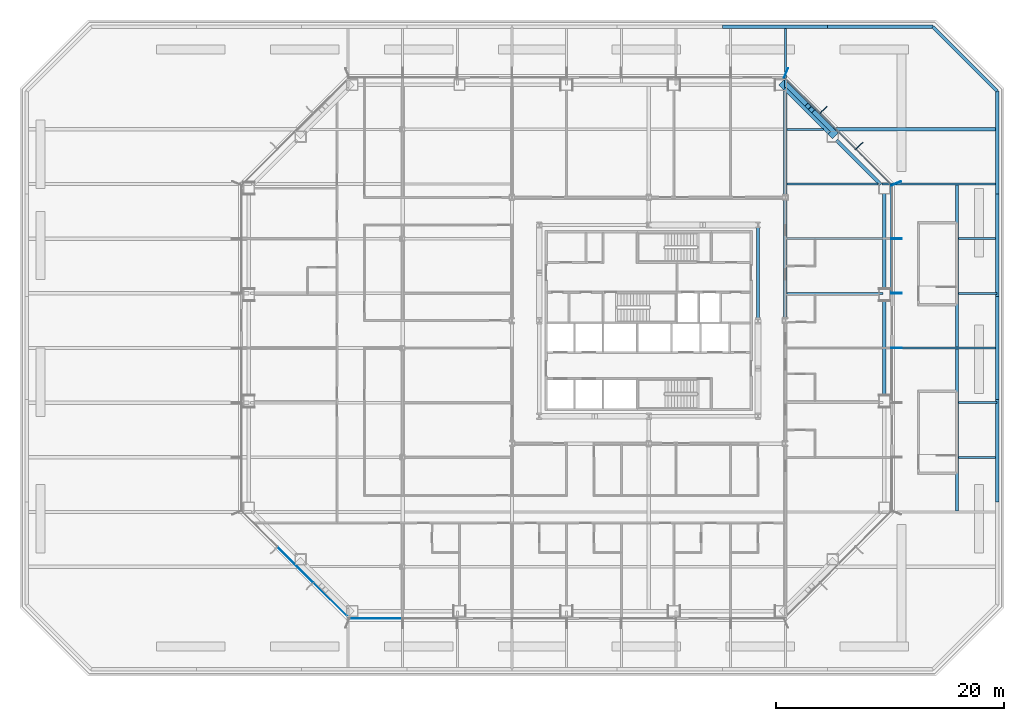
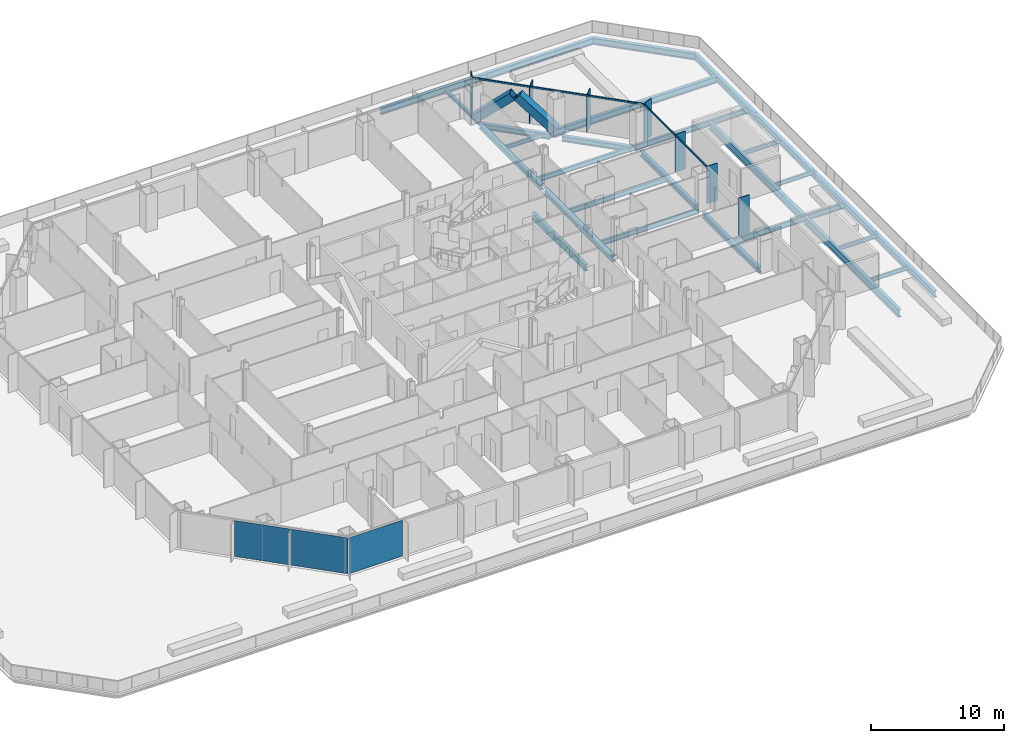
# One storey, part 6 of 18: 28 beams, 14 members, 3 plates, 5 elements without a shape of their own.
"""IFC4 building model written with IfcOpenShell, lengths in metres."""

from ifc_helpers import new_model, si_unit, direction, frame, origin, origin_2d, place, context, subcontext, project, spatial, rectangle, hollow_rectangle, i_section, extrude, material, layer, layer_set, material_profile, profile_set, type_object, element, aggregate, save


model = new_model("IFC4")

# Units and contexts
model_context = context("Model", 3, precision=1e-05, world=origin(), true_north=direction((0.0, 1.0)))
body_context = subcontext(model_context, "Body", "Model", "MODEL_VIEW")
ifc_project = project(units=[si_unit("LENGTHUNIT", "METRE"), si_unit("AREAUNIT", "SQUARE_METRE"), si_unit("VOLUMEUNIT", "CUBIC_METRE"), si_unit("PLANEANGLEUNIT", "RADIAN"), si_unit("MASSUNIT", "GRAM", prefix="KILO")], contexts=[model_context])

# Site, building, storey
site_placement = place(None, origin())
site = spatial("IfcSite", under=ifc_project, at=site_placement, CompositionType="ELEMENT")
building_placement = place(site_placement, origin())
building = spatial("IfcBuilding", under=site, at=building_placement, Name="Cairn Pilgrim Tower", CompositionType="ELEMENT")
storey_placement = place(building_placement, frame((0.0, 0.0, 40.199951171875)))
storey = spatial("IfcBuildingStorey", under=building, at=storey_placement, Name="L07", CompositionType="ELEMENT", Elevation=40.199951171875)

# Members
ifc_material_1 = material(Name="Structural steel S460M", Category="steel")
ifc_material_profile_1 = material_profile(ifc_material_1, hollow_rectangle(XDim=0.699951171875, YDim=0.699951171875, WallThickness=0.0400390625, at=origin_2d()), Name="BOX 700x700x40")
ifc_profile_set_1 = profile_set([ifc_material_profile_1], Name="Structural steel S460M")
member_type_1 = type_object("IfcMemberType", Name="BOX 700x700x40 BRACE", PredefinedType="BRACE", material=ifc_profile_set_1)
member_1_placement = place(storey_placement, frame((23.44482421875, 18.786376953125, 0.150146484375), z_axis=(-0.528090425698, 0.528090425698, 0.665012033404), x_axis=(-0.707106781187, -0.707106781187, 0.0)))
element("IfcMember", 1, at=member_1_placement, inside=storey, type_object=member_type_1, Name="XB-NE2-N1-1", PredefinedType="BRACE", context=body_context, shape_type="SweptSolid", body=[
    extrude(hollow_rectangle(XDim=0.699951171875, YDim=0.699951171875, WallThickness=0.0400390625, at=origin_2d()), origin(), (0.0, 0.0, 1.0), 3.899658203125),
])
member_2_placement = place(storey_placement, frame((19.0498046875, 23.181396484375, 0.150146484375), z_axis=(0.528118110354, -0.528118110354, 0.664968061663), x_axis=(0.707106781187, 0.707106781187, 0.0)))
element("IfcMember", 2, at=member_2_placement, inside=storey, type_object=member_type_1, Name="XB-NE2-N1-2", PredefinedType="BRACE", context=body_context, shape_type="SweptSolid", body=[
    extrude(hollow_rectangle(XDim=0.699951171875, YDim=0.699951171875, WallThickness=0.0400390625, at=origin_2d()), origin(), (0.0, 0.0, 1.0), 3.89990234375),
])

# Curtain wall, members
ifc_material_2 = material(Name="Aluminium alloy 6063-T6 bronze anodised with Bronze tinted laminated low-E glass 8+16+8.8", Category="aluminium")
curtain_wall_type_1 = type_object("IfcCurtainWallType", Name="TOWER STICK CURTAIN WALL EW", PredefinedType="NOTDEFINED", material=ifc_material_2)
curtain_wall_1_placement = place(storey_placement, origin())
curtain_wall_1 = element("IfcCurtainWall", 3, at=curtain_wall_1_placement, inside=storey, type_object=curtain_wall_type_1, Name="Tower Stick Curtain Wall Ew E", PredefinedType="NOTDEFINED")
ifc_material_3 = material(Name="Aluminium alloy 6063-T6 bronze anodised", Category="aluminium")
ifc_material_profile_2 = material_profile(ifc_material_3, rectangle(XDim=0.89990234375, YDim=0.06005859375, at=origin_2d()), Name="FIN MULLION 60x900 BRONZE")
ifc_profile_set_2 = profile_set([ifc_material_profile_2], Name="Aluminium alloy 6063-T6 bronze anodised")
member_type_2 = type_object("IfcMemberType", Name="FIN MULLION 60x900 BRONZE", PredefinedType="MULLION", material=ifc_profile_set_2)
member_3_placement = place(storey_placement, frame((28.969970703125, 0.0, 0.0), z_axis=(0.0, 0.0, 1.0), x_axis=(1.0, 0.0, 0.0)))
member_3 = element("IfcMember", 4, at=member_3_placement, type_object=member_type_2, Name="Fin mullion E4", PredefinedType="MULLION", context=body_context, shape_type="SweptSolid", body=[
    extrude(rectangle(XDim=0.89990234375, YDim=0.06005859375, at=origin_2d()), origin(), (0.0, 0.0, 1.0), 3.449951171875),
])
member_4_placement = place(storey_placement, frame((28.969970703125, 4.800048828125, 0.0), z_axis=(0.0, 0.0, 1.0), x_axis=(1.0, 0.0, 0.0)))
member_4 = element("IfcMember", 5, at=member_4_placement, type_object=member_type_2, Name="Fin mullion E5", PredefinedType="MULLION", context=body_context, shape_type="SweptSolid", body=[
    extrude(rectangle(XDim=0.89990234375, YDim=0.06005859375, at=origin_2d()), origin(), (0.0, 0.0, 1.0), 3.449951171875),
])
member_5_placement = place(storey_placement, frame((28.969970703125, 9.60009765625, 0.0), z_axis=(0.0, 0.0, 1.0), x_axis=(1.0, 0.0, 0.0)))
member_5 = element("IfcMember", 6, at=member_5_placement, type_object=member_type_2, Name="Fin mullion E6", PredefinedType="MULLION", context=body_context, shape_type="SweptSolid", body=[
    extrude(rectangle(XDim=0.89990234375, YDim=0.06005859375, at=origin_2d()), origin(), (0.0, 0.0, 1.0), 3.449951171875),
])

curtain_wall_type_2 = type_object("IfcCurtainWallType", Name="CHAMFER CORNER CURTAIN WALL", PredefinedType="NOTDEFINED", material=ifc_material_2)
curtain_wall_2_placement = place(storey_placement, origin())
curtain_wall_2 = element("IfcCurtainWall", 7, at=curtain_wall_2_placement, inside=storey, type_object=curtain_wall_type_2, Name="Chamfer Corner Curtain Wall NE", PredefinedType="NOTDEFINED")
member_6_placement = place(storey_placement, frame((28.93798828125, 14.457275390625, 0.0), z_axis=(0.0, 0.0, 1.0), x_axis=(0.923879532511, 0.382683432365, 0.0)))
member_6 = element("IfcMember", 8, at=member_6_placement, type_object=member_type_2, Name="Fin mullion NE1", PredefinedType="MULLION", context=body_context, shape_type="SweptSolid", body=[
    extrude(rectangle(XDim=0.89990234375, YDim=0.06005859375, at=origin_2d()), origin(), (0.0, 0.0, 1.0), 3.449951171875),
])
member_7_placement = place(storey_placement, frame((25.69580078125, 17.74462890625, 0.0), z_axis=(0.0, 0.0, 1.0), x_axis=(0.707106781187, 0.707106781187, 0.0)))
member_7 = element("IfcMember", 9, at=member_7_placement, type_object=member_type_2, Name="Fin mullion NE2", PredefinedType="MULLION", context=body_context, shape_type="SweptSolid", body=[
    extrude(rectangle(XDim=0.89990234375, YDim=0.06005859375, at=origin_2d()), origin(), (0.0, 0.0, 1.0), 3.449951171875),
])
member_8_placement = place(storey_placement, frame((22.544677734375, 20.895751953125, 0.0), z_axis=(0.0, 0.0, 1.0), x_axis=(0.707106781187, 0.707106781187, 0.0)))
member_8 = element("IfcMember", 10, at=member_8_placement, type_object=member_type_2, Name="Fin mullion NE3", PredefinedType="MULLION", context=body_context, shape_type="SweptSolid", body=[
    extrude(rectangle(XDim=0.89990234375, YDim=0.06005859375, at=origin_2d()), origin(), (0.0, 0.0, 1.0), 3.449951171875),
])

# Curtain wall, member
curtain_wall_type_3 = type_object("IfcCurtainWallType", Name="TOWER STICK CURTAIN WALL NS", PredefinedType="NOTDEFINED", material=ifc_material_2)
curtain_wall_3_placement = place(storey_placement, origin())
curtain_wall_3 = element("IfcCurtainWall", 11, at=curtain_wall_3_placement, inside=storey, type_object=curtain_wall_type_3, Name="Tower Stick Curtain Wall Ns N", PredefinedType="NOTDEFINED")
member_9_placement = place(storey_placement, frame((19.257080078125, 24.137939453125, 0.0), z_axis=(0.0, 0.0, 1.0), x_axis=(0.382683432365, 0.923879532511, 0.0)))
member_9 = element("IfcMember", 12, at=member_9_placement, type_object=member_type_2, Name="Fin mullion N1", PredefinedType="MULLION", context=body_context, shape_type="SweptSolid", body=[
    extrude(rectangle(XDim=0.89990234375, YDim=0.06005859375, at=origin_2d()), origin(), (0.0, 0.0, 1.0), 3.449951171875),
])
aggregate(curtain_wall_3, [member_9])

# Beams
ifc_material_4 = material(Name="Structural steel S355J2", Category="steel")
ifc_material_profile_3 = material_profile(ifc_material_4, i_section(OverallWidth=0.300048828125, OverallDepth=0.5, WebThickness=0.014404296875, FlangeThickness=0.028076171875, FilletRadius=0.027099609375, at=origin_2d()), Name="HEB 500")
ifc_profile_set_3 = profile_set([ifc_material_profile_3], Name="Structural steel S355J2")
beam_type_1 = type_object("IfcBeamType", Name="HEB 500 GIRDER", PredefinedType="BEAM", material=ifc_profile_set_3)
beam_1_placement = place(storey_placement, frame((19.199951171875, 13.412109375, -0.39990234375), z_axis=(0.0, 1.0, 0.0), x_axis=(-1.0, 0.0, 0.0)))
element("IfcBeam", 13, at=beam_1_placement, inside=storey, type_object=beam_type_1, Name="PG4-4", PredefinedType="BEAM", context=body_context, shape_type="SweptSolid", body=[
    extrude(i_section(OverallWidth=0.300048828125, OverallDepth=0.5, WebThickness=0.014404296875, FlangeThickness=0.028076171875, FilletRadius=0.027099609375, at=origin_2d()), origin(), (0.0, 0.0, 1.0), 9.133056640625),
])
ifc_material_profile_4 = material_profile(ifc_material_4, i_section(OverallWidth=0.300048828125, OverallDepth=0.5, WebThickness=0.014404296875, FlangeThickness=0.028076171875, FilletRadius=0.027099609375, at=origin_2d()), Name="HEB 500")
ifc_profile_set_4 = profile_set([ifc_material_profile_4], Name="Structural steel S355J2")
beam_type_2 = type_object("IfcBeamType", Name="HEB 500 RING GIRDER", PredefinedType="SPANDREL", material=ifc_profile_set_4)
beam_2_placement = place(storey_placement, frame((27.89990234375, -4.2255859375, -0.39990234375), z_axis=(0.0, 1.0, 0.0), x_axis=(-1.0, 0.0, 0.0)))
element("IfcBeam", 14, at=beam_2_placement, inside=storey, type_object=beam_type_2, Name="RG1-E2-E3", PredefinedType="SPANDREL", context=body_context, shape_type="SweptSolid", body=[
    extrude(i_section(OverallWidth=0.300048828125, OverallDepth=0.5, WebThickness=0.014404296875, FlangeThickness=0.028076171875, FilletRadius=0.027099609375, at=origin_2d()), origin(), (0.0, 0.0, 1.0), 8.451171875),
])
beam_3_placement = place(storey_placement, frame((27.89990234375, 5.125732421875, -0.39990234375), z_axis=(0.0, 1.0, 0.0), x_axis=(-1.0, 0.0, 0.0)))
element("IfcBeam", 15, at=beam_3_placement, inside=storey, type_object=beam_type_2, Name="RG1-E3-NE1", PredefinedType="SPANDREL", context=body_context, shape_type="SweptSolid", body=[
    extrude(i_section(OverallWidth=0.300048828125, OverallDepth=0.5, WebThickness=0.014404296875, FlangeThickness=0.028076171875, FilletRadius=0.027099609375, at=origin_2d()), origin(), (0.0, 0.0, 1.0), 8.451416015625),
])
for number, where, z_axis, x_axis, name in (
    (16, (27.581787109375, 14.345458984375, -0.39990234375), (-0.707106781187, 0.707106781187, 0.0), (-0.707106781187, -0.707106781187, 0.0), "RG1-NE1-NE2"),
    (17, (23.04541015625, 18.8818359375, -0.39990234375), (-0.707106781187, 0.707106781187, 0.0), (-0.707106781187, -0.707106781187, 0.0), "RG1-NE2-N1"),
):
    element("IfcBeam", number, at=place(storey_placement, frame(where, z_axis=z_axis, x_axis=x_axis)), inside=storey, type_object=beam_type_2, Name=name, PredefinedType="SPANDREL", context=body_context, shape_type="SweptSolid", body=[
        extrude(i_section(OverallWidth=0.300048828125, OverallDepth=0.5, WebThickness=0.014404296875, FlangeThickness=0.028076171875, FilletRadius=0.027099609375, at=origin_2d()), origin(), (0.0, 0.0, 1.0), 5.515380859375),
    ])
ifc_material_profile_5 = material_profile(ifc_material_4, i_section(OverallWidth=0.300048828125, OverallDepth=0.60009765625, WebThickness=0.015380859375, FlangeThickness=0.030029296875, FilletRadius=0.027099609375, at=origin_2d()), Name="HEB 600")
ifc_profile_set_5 = profile_set([ifc_material_profile_5], Name="Structural steel S355J2")
beam_type_3 = type_object("IfcBeamType", Name="HEB 600 CORE BEAM", PredefinedType="BEAM", material=ifc_profile_set_5)
beam_4_placement = place(storey_placement, frame((16.800048828125, 2.604248046875, -0.449951171875), z_axis=(0.0, 1.0, 0.0), x_axis=(-1.0, 0.0, 0.0)))
element("IfcBeam", 18, at=beam_4_placement, inside=storey, type_object=beam_type_3, Name="CB-4", PredefinedType="BEAM", context=body_context, shape_type="SweptSolid", body=[
    extrude(i_section(OverallWidth=0.300048828125, OverallDepth=0.60009765625, WebThickness=0.015380859375, FlangeThickness=0.030029296875, FilletRadius=0.027099609375, at=origin_2d()), origin(), (0.0, 0.0, 1.0), 7.991455078125),
])
ifc_material_profile_6 = material_profile(ifc_material_4, i_section(OverallWidth=0.300048828125, OverallDepth=0.60009765625, WebThickness=0.015380859375, FlangeThickness=0.030029296875, FilletRadius=0.027099609375, at=origin_2d()), Name="HEB 600")
ifc_profile_set_6 = profile_set([ifc_material_profile_6], Name="Structural steel S355J2")
beam_type_4 = type_object("IfcBeamType", Name="HEB 600 GIRDER", PredefinedType="BEAM", material=ifc_profile_set_6)
beam_5_placement = place(storey_placement, frame((19.199951171875, 2.612060546875, -0.449951171875), z_axis=(0.0, 1.0, 0.0), x_axis=(-1.0, 0.0, 0.0)))
element("IfcBeam", 19, at=beam_5_placement, inside=storey, type_object=beam_type_4, Name="PG4-3", PredefinedType="BEAM", context=body_context, shape_type="SweptSolid", body=[
    extrude(i_section(OverallWidth=0.300048828125, OverallDepth=0.60009765625, WebThickness=0.015380859375, FlangeThickness=0.030029296875, FilletRadius=0.027099609375, at=origin_2d()), origin(), (0.0, 0.0, 1.0), 10.3759765625),
])
ifc_material_profile_7 = material_profile(ifc_material_4, i_section(OverallWidth=0.169921875, OverallDepth=0.360107421875, WebThickness=0.008056640625, FlangeThickness=0.0126953125, FilletRadius=0.01806640625, at=origin_2d()), Name="IPE 360")
ifc_profile_set_7 = profile_set([ifc_material_profile_7], Name="Structural steel S355J2")
beam_type_5 = type_object("IfcBeamType", Name="IPE 360 SECONDARY BEAM", PredefinedType="JOIST", material=ifc_profile_set_7)
beam_6_placement = place(storey_placement, frame((19.35009765625, 19.199951171875, -0.329833984375), z_axis=(1.0, 0.0, 0.0), x_axis=(0.0, 1.0, 0.0)))
element("IfcBeam", 20, at=beam_6_placement, inside=storey, type_object=beam_type_5, Name="SB9-5", PredefinedType="JOIST", context=body_context, shape_type="SweptSolid", body=[
    extrude(i_section(OverallWidth=0.169921875, OverallDepth=0.360107421875, WebThickness=0.008056640625, FlangeThickness=0.0126953125, FilletRadius=0.01806640625, at=origin_2d()), origin(), (0.0, 0.0, 1.0), 3.195068359375),
])
ifc_material_profile_8 = material_profile(ifc_material_4, i_section(OverallWidth=0.18994140625, OverallDepth=0.449951171875, WebThickness=0.009521484375, FlangeThickness=0.0146484375, FilletRadius=0.02099609375, at=origin_2d()), Name="IPE 450")
ifc_profile_set_8 = profile_set([ifc_material_profile_8], Name="Structural steel S355J2")
beam_type_6 = type_object("IfcBeamType", Name="IPE 450 SECONDARY BEAM", PredefinedType="JOIST", material=ifc_profile_set_8)
for number, where, z_axis, x_axis, name in (
    (21, (19.35009765625, 4.800048828125, -0.375), (1.0, 0.0, 0.0), (0.0, 1.0, 0.0), "SB6-3"),
    (22, (19.35009765625, 9.60009765625, -0.375), (1.0, 0.0, 0.0), (0.0, 1.0, 0.0), "SB7-3"),
):
    element("IfcBeam", number, at=place(storey_placement, frame(where, z_axis=z_axis, x_axis=x_axis)), inside=storey, type_object=beam_type_6, Name=name, PredefinedType="JOIST", context=body_context, shape_type="SweptSolid", body=[
        extrude(i_section(OverallWidth=0.18994140625, OverallDepth=0.449951171875, WebThickness=0.009521484375, FlangeThickness=0.0146484375, FilletRadius=0.02099609375, at=origin_2d()), origin(), (0.0, 0.0, 1.0), 8.429931640625),
    ])
beam_7_placement = place(storey_placement, frame((19.35009765625, 14.39990234375, -0.375), z_axis=(1.0, 0.0, 0.0), x_axis=(0.0, 1.0, 0.0)))
element("IfcBeam", 23, at=beam_7_placement, inside=storey, type_object=beam_type_6, Name="SB8-3", PredefinedType="JOIST", context=body_context, shape_type="SweptSolid", body=[
    extrude(i_section(OverallWidth=0.18994140625, OverallDepth=0.449951171875, WebThickness=0.009521484375, FlangeThickness=0.0146484375, FilletRadius=0.02099609375, at=origin_2d()), origin(), (0.0, 0.0, 1.0), 7.9951171875),
])
ifc_material_profile_9 = material_profile(ifc_material_4, i_section(OverallWidth=0.300048828125, OverallDepth=0.60009765625, WebThickness=0.015380859375, FlangeThickness=0.030029296875, FilletRadius=0.027099609375, at=origin_2d()), Name="HEB 600")
ifc_profile_set_9 = profile_set([ifc_material_profile_9], Name="Structural steel S355J2")
beam_type_7 = type_object("IfcBeamType", Name="PODIUM BEAM HE 600 B", PredefinedType="BEAM", material=ifc_profile_set_9)
beam_8_placement = place(storey_placement, frame((22.879150390625, 19.199951171875, -0.449951171875), z_axis=(1.0, 0.0, 0.0), x_axis=(0.0, 1.0, 0.0)))
element("IfcBeam", 24, at=beam_8_placement, inside=storey, type_object=beam_type_7, Name="PODIUM BEAM PB-HE600B", PredefinedType="BEAM", context=body_context, shape_type="SweptSolid", body=[
    extrude(i_section(OverallWidth=0.300048828125, OverallDepth=0.60009765625, WebThickness=0.015380859375, FlangeThickness=0.030029296875, FilletRadius=0.027099609375, at=origin_2d()), origin(), (0.0, 0.0, 1.0), 14.768798828125),
])
ifc_material_profile_10 = material_profile(ifc_material_4, i_section(OverallWidth=0.169921875, OverallDepth=0.360107421875, WebThickness=0.008056640625, FlangeThickness=0.0126953125, FilletRadius=0.01806640625, at=origin_2d()), Name="IPE 360")
ifc_profile_set_10 = profile_set([ifc_material_profile_10], Name="Structural steel S355J2")
beam_type_8 = type_object("IfcBeamType", Name="PODIUM BEAM IPE 360", PredefinedType="BEAM", material=ifc_profile_set_10)
beam_9_placement = place(storey_placement, frame((34.422119140625, -9.60009765625, -0.329833984375), z_axis=(1.0, 0.0, 0.0), x_axis=(0.0, 1.0, 0.0)))
element("IfcBeam", 25, at=beam_9_placement, inside=storey, type_object=beam_type_8, Name="PODIUM BEAM PB-IPE360", PredefinedType="BEAM", context=body_context, shape_type="SweptSolid", body=[
    extrude(i_section(OverallWidth=0.169921875, OverallDepth=0.360107421875, WebThickness=0.008056640625, FlangeThickness=0.0126953125, FilletRadius=0.01806640625, at=origin_2d()), origin(), (0.0, 0.0, 1.0), 3.225830078125),
])
for number, where, z_axis, x_axis, name in (
    (26, (34.422119140625, -4.800048828125, -0.329833984375), (1.0, 0.0, 0.0), (0.0, 1.0, 0.0), "PODIUM BEAM PB-IPE360"),
    (27, (34.422119140625, 4.800048828125, -0.329833984375), (1.0, 0.0, 0.0), (0.0, 1.0, 0.0), "PODIUM BEAM PB-IPE360"),
):
    element("IfcBeam", number, at=place(storey_placement, frame(where, z_axis=z_axis, x_axis=x_axis)), inside=storey, type_object=beam_type_8, Name=name, PredefinedType="BEAM", context=body_context, shape_type="SweptSolid", body=[
        extrude(i_section(OverallWidth=0.169921875, OverallDepth=0.360107421875, WebThickness=0.008056640625, FlangeThickness=0.0126953125, FilletRadius=0.01806640625, at=origin_2d()), origin(), (0.0, 0.0, 1.0), 3.3779296875),
    ])
beam_10_placement = place(storey_placement, frame((34.422119140625, 9.60009765625, -0.329833984375), z_axis=(1.0, 0.0, 0.0), x_axis=(0.0, 1.0, 0.0)))
element("IfcBeam", 28, at=beam_10_placement, inside=storey, type_object=beam_type_8, Name="PODIUM BEAM PB-IPE360", PredefinedType="BEAM", context=body_context, shape_type="SweptSolid", body=[
    extrude(i_section(OverallWidth=0.169921875, OverallDepth=0.360107421875, WebThickness=0.008056640625, FlangeThickness=0.0126953125, FilletRadius=0.01806640625, at=origin_2d()), origin(), (0.0, 0.0, 1.0), 3.225830078125),
])
beam_11_placement = place(storey_placement, frame((19.199951171875, 22.879150390625, -0.329833984375), z_axis=(0.0, 1.0, 0.0), x_axis=(-1.0, 0.0, 0.0)))
element("IfcBeam", 29, at=beam_11_placement, inside=storey, type_object=beam_type_8, Name="PODIUM BEAM PB-IPE360", PredefinedType="BEAM", context=body_context, shape_type="SweptSolid", body=[
    extrude(i_section(OverallWidth=0.169921875, OverallDepth=0.360107421875, WebThickness=0.008056640625, FlangeThickness=0.0126953125, FilletRadius=0.01806640625, at=origin_2d()), origin(), (0.0, 0.0, 1.0), 5.1689453125),
])
ifc_material_profile_11 = material_profile(ifc_material_4, i_section(OverallWidth=0.199951171875, OverallDepth=0.5, WebThickness=0.01025390625, FlangeThickness=0.01611328125, FilletRadius=0.02099609375, at=origin_2d()), Name="IPE 500")
ifc_profile_set_11 = profile_set([ifc_material_profile_11], Name="Structural steel S355J2")
beam_type_9 = type_object("IfcBeamType", Name="PODIUM BEAM IPE 500", PredefinedType="BEAM", material=ifc_profile_set_11)
beam_12_placement = place(storey_placement, frame((28.052001953125, 0.0, -0.39990234375), z_axis=(1.0, 0.0, 0.0), x_axis=(0.0, 1.0, 0.0)))
element("IfcBeam", 30, at=beam_12_placement, inside=storey, type_object=beam_type_9, Name="PODIUM BEAM PB-IPE500", PredefinedType="BEAM", context=body_context, shape_type="SweptSolid", body=[
    extrude(i_section(OverallWidth=0.199951171875, OverallDepth=0.5, WebThickness=0.01025390625, FlangeThickness=0.01611328125, FilletRadius=0.02099609375, at=origin_2d()), origin(), (0.0, 0.0, 1.0), 9.595947265625),
])
beam_13_placement = place(storey_placement, frame((27.67919921875, 14.39990234375, -0.39990234375), z_axis=(1.0, 0.0, 0.0), x_axis=(0.0, 1.0, 0.0)))
element("IfcBeam", 31, at=beam_13_placement, inside=storey, type_object=beam_type_9, Name="PODIUM BEAM PB-IPE500", PredefinedType="BEAM", context=body_context, shape_type="SweptSolid", body=[
    extrude(i_section(OverallWidth=0.199951171875, OverallDepth=0.5, WebThickness=0.01025390625, FlangeThickness=0.01611328125, FilletRadius=0.02099609375, at=origin_2d()), origin(), (0.0, 0.0, 1.0), 9.96875),
])
ifc_material_profile_12 = material_profile(ifc_material_4, i_section(OverallWidth=0.300048828125, OverallDepth=0.60009765625, WebThickness=0.015380859375, FlangeThickness=0.030029296875, FilletRadius=0.027099609375, at=origin_2d()), Name="HEB 600")
ifc_profile_set_12 = profile_set([ifc_material_profile_12], Name="Structural steel S355J2")
beam_type_10 = type_object("IfcBeamType", Name="PODIUM EDGE GIRDER HE 600 B", PredefinedType="BEAM", material=ifc_profile_set_12)
beam_14_placement = place(storey_placement, frame((37.800048828125, -13.531005859375, -0.449951171875), z_axis=(0.0, 1.0, 0.0), x_axis=(-1.0, 0.0, 0.0)))
element("IfcBeam", 32, at=beam_14_placement, inside=storey, type_object=beam_type_10, Name="PODIUM EDGE GIRDER PE-HE600B", PredefinedType="BEAM", context=body_context, shape_type="SweptSolid", body=[
    extrude(i_section(OverallWidth=0.300048828125, OverallDepth=0.60009765625, WebThickness=0.015380859375, FlangeThickness=0.030029296875, FilletRadius=0.027099609375, at=origin_2d()), origin(), (0.0, 0.0, 1.0), 9.020751953125),
])
beam_15_placement = place(storey_placement, frame((37.800048828125, -4.51025390625, -0.449951171875), z_axis=(0.0, 1.0, 0.0), x_axis=(-1.0, 0.0, 0.0)))
element("IfcBeam", 33, at=beam_15_placement, inside=storey, type_object=beam_type_10, Name="PODIUM EDGE GIRDER PE-HE600B", PredefinedType="BEAM", context=body_context, shape_type="SweptSolid", body=[
    extrude(i_section(OverallWidth=0.300048828125, OverallDepth=0.60009765625, WebThickness=0.015380859375, FlangeThickness=0.030029296875, FilletRadius=0.027099609375, at=origin_2d()), origin(), (0.0, 0.0, 1.0), 9.0205078125),
])
beam_16_placement = place(storey_placement, frame((37.800048828125, 4.51025390625, -0.449951171875), z_axis=(0.0, 1.0, 0.0), x_axis=(-1.0, 0.0, 0.0)))
element("IfcBeam", 34, at=beam_16_placement, inside=storey, type_object=beam_type_10, Name="PODIUM EDGE GIRDER PE-HE600B", PredefinedType="BEAM", context=body_context, shape_type="SweptSolid", body=[
    extrude(i_section(OverallWidth=0.300048828125, OverallDepth=0.60009765625, WebThickness=0.015380859375, FlangeThickness=0.030029296875, FilletRadius=0.027099609375, at=origin_2d()), origin(), (0.0, 0.0, 1.0), 9.020751953125),
])
beam_17_placement = place(storey_placement, frame((37.800048828125, 13.531005859375, -0.449951171875), z_axis=(0.0, 1.0, 0.0), x_axis=(-1.0, 0.0, 0.0)))
element("IfcBeam", 35, at=beam_17_placement, inside=storey, type_object=beam_type_10, Name="PODIUM EDGE GIRDER PE-HE600B", PredefinedType="BEAM", context=body_context, shape_type="SweptSolid", body=[
    extrude(i_section(OverallWidth=0.300048828125, OverallDepth=0.60009765625, WebThickness=0.015380859375, FlangeThickness=0.030029296875, FilletRadius=0.027099609375, at=origin_2d()), origin(), (0.0, 0.0, 1.0), 9.0205078125),
])
beam_18_placement = place(storey_placement, frame((37.800048828125, 22.551513671875, -0.449951171875), z_axis=(-0.707106781187, 0.707106781187, 0.0), x_axis=(-0.707106781187, -0.707106781187, 0.0)))
element("IfcBeam", 36, at=beam_18_placement, inside=storey, type_object=beam_type_10, Name="PODIUM EDGE GIRDER PE-HE600B", PredefinedType="BEAM", context=body_context, shape_type="SweptSolid", body=[
    extrude(i_section(OverallWidth=0.300048828125, OverallDepth=0.60009765625, WebThickness=0.015380859375, FlangeThickness=0.030029296875, FilletRadius=0.027099609375, at=origin_2d()), origin(), (0.0, 0.0, 1.0), 7.988037109375),
])
beam_19_placement = place(storey_placement, frame((32.151611328125, 28.199951171875, -0.449951171875), z_axis=(-1.0, 0.0, 0.0), x_axis=(0.0, -1.0, 0.0)))
element("IfcBeam", 37, at=beam_19_placement, inside=storey, type_object=beam_type_10, Name="PODIUM EDGE GIRDER PE-HE600B", PredefinedType="BEAM", context=body_context, shape_type="SweptSolid", body=[
    extrude(i_section(OverallWidth=0.300048828125, OverallDepth=0.60009765625, WebThickness=0.015380859375, FlangeThickness=0.030029296875, FilletRadius=0.027099609375, at=origin_2d()), origin(), (0.0, 0.0, 1.0), 9.238037109375),
])
beam_20_placement = place(storey_placement, frame((22.91357421875, 28.199951171875, -0.449951171875), z_axis=(-1.0, 0.0, 0.0), x_axis=(0.0, -1.0, 0.0)))
element("IfcBeam", 38, at=beam_20_placement, inside=storey, type_object=beam_type_10, Name="PODIUM EDGE GIRDER PE-HE600B", PredefinedType="BEAM", context=body_context, shape_type="SweptSolid", body=[
    extrude(i_section(OverallWidth=0.300048828125, OverallDepth=0.60009765625, WebThickness=0.015380859375, FlangeThickness=0.030029296875, FilletRadius=0.027099609375, at=origin_2d()), origin(), (0.0, 0.0, 1.0), 9.23779296875),
])
ifc_material_profile_13 = material_profile(ifc_material_4, i_section(OverallWidth=0.300048828125, OverallDepth=0.699951171875, WebThickness=0.01708984375, FlangeThickness=0.031982421875, FilletRadius=0.027099609375, at=origin_2d()), Name="HEB 700")
ifc_profile_set_13 = profile_set([ifc_material_profile_13], Name="Structural steel S355J2")
beam_type_11 = type_object("IfcBeamType", Name="PODIUM GIRDER HE 700 B", PredefinedType="BEAM", material=ifc_profile_set_13)
for number, where, z_axis, x_axis, name in (
    (39, (34.27001953125, -14.298095703125, -0.5), (0.0, 1.0, 0.0), (-1.0, 0.0, 0.0), "PODIUM GIRDER PG-HE700B"),
    (40, (34.27001953125, 0.10205078125, -0.5), (0.0, 1.0, 0.0), (-1.0, 0.0, 0.0), "PODIUM GIRDER PG-HE700B"),
):
    element("IfcBeam", number, at=place(storey_placement, frame(where, z_axis=z_axis, x_axis=x_axis)), inside=storey, type_object=beam_type_11, Name=name, PredefinedType="BEAM", context=body_context, shape_type="SweptSolid", body=[
        extrude(i_section(OverallWidth=0.300048828125, OverallDepth=0.699951171875, WebThickness=0.01708984375, FlangeThickness=0.031982421875, FilletRadius=0.027099609375, at=origin_2d()), origin(), (0.0, 0.0, 1.0), 14.196044921875),
    ])

# Member
ifc_material_profile_14 = material_profile(ifc_material_3, rectangle(XDim=0.080078125, YDim=0.14990234375, at=origin_2d()), Name="TRANSOM 80x150 BRONZE")
ifc_profile_set_14 = profile_set([ifc_material_profile_14], Name="Aluminium alloy 6063-T6 bronze anodised")
member_type_3 = type_object("IfcMemberType", Name="TRANSOM 80x150 BRONZE", PredefinedType="USERDEFINED", material=ifc_profile_set_14)
member_10_placement = place(storey_placement, frame((28.550048828125, 4.830078125, 3.375), z_axis=(0.0, 1.0, 0.0), x_axis=(-1.0, 0.0, 0.0)))
member_10 = element("IfcMember", 41, at=member_10_placement, type_object=member_type_3, Name="Transom E5", ObjectType="TRANSOM", PredefinedType="USERDEFINED", context=body_context, shape_type="SweptSolid", body=[
    extrude(rectangle(XDim=0.080078125, YDim=0.14990234375, at=origin_2d()), origin(), (0.0, 0.0, 1.0), 4.739990234375),
])

member_11_placement = place(storey_placement, frame((28.550048828125, 9.6298828125, 3.375), z_axis=(0.0, 1.0, 0.0), x_axis=(-1.0, 0.0, 0.0)))
member_11 = element("IfcMember", 42, at=member_11_placement, type_object=member_type_3, Name="Transom E6", ObjectType="TRANSOM", PredefinedType="USERDEFINED", context=body_context, shape_type="SweptSolid", body=[
    extrude(rectangle(XDim=0.080078125, YDim=0.14990234375, at=origin_2d()), origin(), (0.0, 0.0, 1.0), 4.62646484375),
])

aggregate(curtain_wall_1, [member_3, member_4, member_5, member_10, member_11])

member_12_placement = place(storey_placement, frame((28.521728515625, 14.32470703125, 3.375), z_axis=(-0.707106781187, 0.707106781187, 0.0), x_axis=(-0.707106781187, -0.707106781187, 0.0)))
member_12 = element("IfcMember", 43, at=member_12_placement, type_object=member_type_3, Name="Transom NE1", ObjectType="TRANSOM", PredefinedType="USERDEFINED", context=body_context, shape_type="SweptSolid", body=[
    extrude(rectangle(XDim=0.080078125, YDim=0.14990234375, at=origin_2d()), origin(), (0.0, 0.0, 1.0), 4.38671875),
])

member_13_placement = place(storey_placement, frame((25.377685546875, 17.46875, 3.375), z_axis=(-0.707106781187, 0.707106781187, 0.0), x_axis=(-0.707106781187, -0.707106781187, 0.0)))
member_13 = element("IfcMember", 44, at=member_13_placement, type_object=member_type_3, Name="Transom NE2", ObjectType="TRANSOM", PredefinedType="USERDEFINED", context=body_context, shape_type="SweptSolid", body=[
    extrude(rectangle(XDim=0.080078125, YDim=0.14990234375, at=origin_2d()), origin(), (0.0, 0.0, 1.0), 4.396728515625),
])

member_14_placement = place(storey_placement, frame((22.226318359375, 20.6201171875, 3.375), z_axis=(-0.707106781187, 0.707106781187, 0.0), x_axis=(-0.707106781187, -0.707106781187, 0.0)))
member_14 = element("IfcMember", 45, at=member_14_placement, type_object=member_type_3, Name="Transom NE3", ObjectType="TRANSOM", PredefinedType="USERDEFINED", context=body_context, shape_type="SweptSolid", body=[
    extrude(rectangle(XDim=0.080078125, YDim=0.14990234375, at=origin_2d()), origin(), (0.0, 0.0, 1.0), 4.38623046875),
])

aggregate(curtain_wall_2, [member_6, member_7, member_8, member_12, member_13, member_14])

# Curtain wall, plates
curtain_wall_4_placement = place(storey_placement, origin())
curtain_wall_4 = element("IfcCurtainWall", 46, at=curtain_wall_4_placement, inside=storey, type_object=curtain_wall_type_2, Name="Chamfer Corner Curtain Wall SW", PredefinedType="NOTDEFINED")
ifc_material_5 = material(Name="Bronze anodised aluminium spandrel panel with mineral wool insulation", Category="aluminium")
ifc_layer_1 = layer(ifc_material_5, 0.06005859375)
ifc_layer_set_1 = layer_set([ifc_layer_1], Name="SPANDREL PANEL 4386x3300")
plate_type_1 = type_object("IfcPlateType", Name="SPANDREL PANEL 4386x3300", PredefinedType="CURTAIN_PANEL", material=ifc_layer_set_1)
plate_1_placement = place(storey_placement, frame((-20.675537109375, -22.1708984375, 0.0), z_axis=(0.0, 0.0, 1.0), x_axis=(0.707106781187, -0.707106781187, 0.0)))
plate_1 = element("IfcPlate", 47, at=plate_1_placement, type_object=plate_type_1, Name="Spandrel Panel SW3-1", PredefinedType="CURTAIN_PANEL", context=body_context, shape_type="SweptSolid", body=[
    extrude(rectangle(XDim=4.386474609375, YDim=0.06005859375, at=origin_2d()), origin(), (0.0, 0.0, 1.0), 3.300048828125),
])
ifc_layer_2 = layer(ifc_material_5, 0.06005859375)
ifc_layer_set_2 = layer_set([ifc_layer_2], Name="SPANDREL PANEL 4396x3300")
plate_type_2 = type_object("IfcPlateType", Name="SPANDREL PANEL 4396x3300", PredefinedType="CURTAIN_PANEL", material=ifc_layer_set_2)
plate_2_placement = place(storey_placement, frame((-23.8232421875, -19.023193359375, 0.0), z_axis=(0.0, 0.0, 1.0), x_axis=(0.707106781187, -0.707106781187, 0.0)))
plate_2 = element("IfcPlate", 48, at=plate_2_placement, type_object=plate_type_2, Name="Spandrel Panel SW2-1", PredefinedType="CURTAIN_PANEL", context=body_context, shape_type="SweptSolid", body=[
    extrude(rectangle(XDim=4.396484375, YDim=0.06005859375, at=origin_2d()), origin(), (0.0, 0.0, 1.0), 3.300048828125),
])
aggregate(curtain_wall_4, [plate_2, plate_1])

# Curtain wall, plate
curtain_wall_5_placement = place(storey_placement, origin())
curtain_wall_5 = element("IfcCurtainWall", 49, at=curtain_wall_5_placement, inside=storey, type_object=curtain_wall_type_3, Name="Tower Stick Curtain Wall Ns S", PredefinedType="NOTDEFINED")
ifc_layer_3 = layer(ifc_material_5, 0.06005859375)
ifc_layer_set_3 = layer_set([ifc_layer_3], Name="SPANDREL PANEL 4626x3300")
plate_type_3 = type_object("IfcPlateType", Name="SPANDREL PANEL 4626x3300", PredefinedType="CURTAIN_PANEL", material=ifc_layer_set_3)
plate_3_placement = place(storey_placement, frame((-16.7431640625, -23.75, 0.0), z_axis=(0.0, 0.0, 1.0), x_axis=(1.0, 0.0, 0.0)))
plate_3 = element("IfcPlate", 50, at=plate_3_placement, type_object=plate_type_3, Name="Spandrel Panel S1-1", PredefinedType="CURTAIN_PANEL", context=body_context, shape_type="SweptSolid", body=[
    extrude(rectangle(XDim=4.62646484375, YDim=0.06005859375, at=origin_2d()), origin(), (0.0, 0.0, 1.0), 3.300048828125),
])
aggregate(curtain_wall_5, [plate_3])

save(model, "model.ifc")
